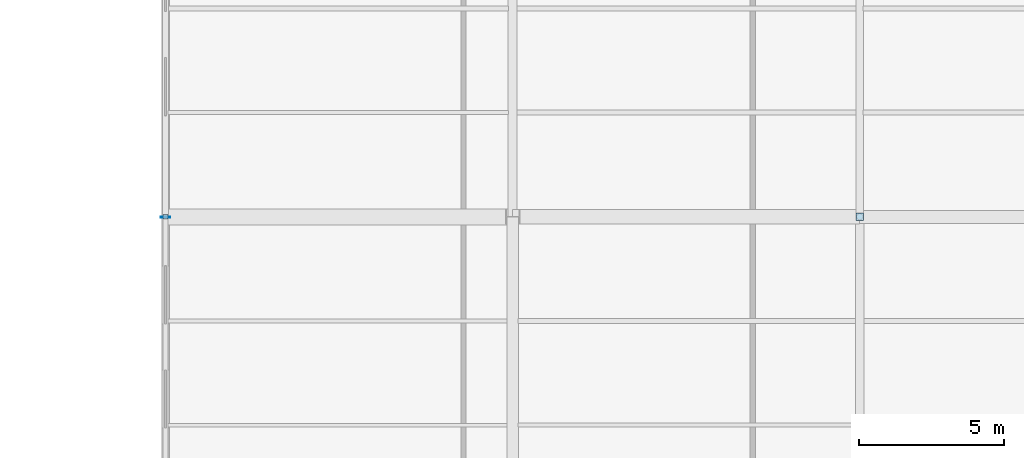
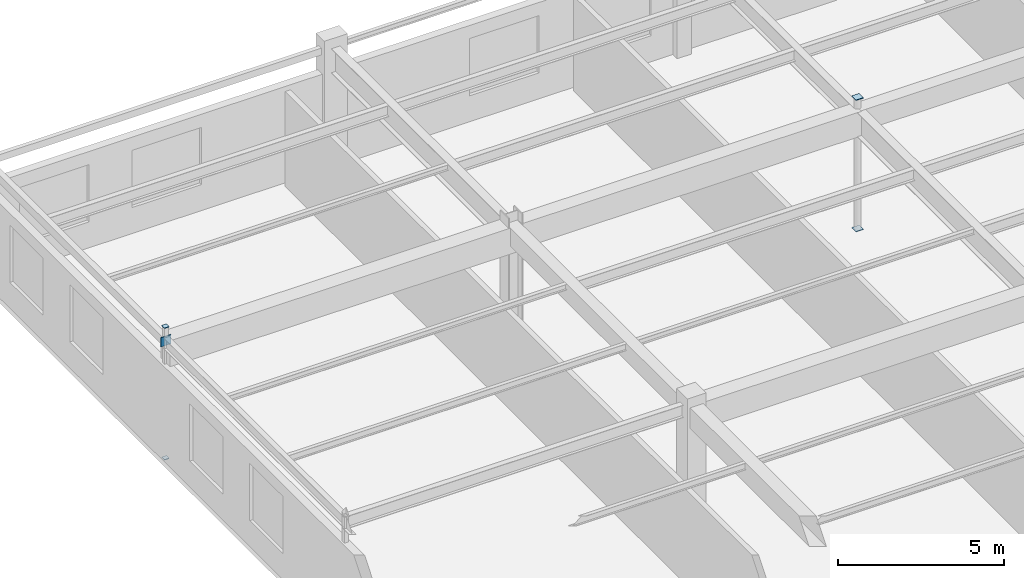
# One storey, part 141 of 199: 5 plates.
"""IFC4 building model written with IfcOpenShell, lengths in metres."""

from ifc_helpers import new_model, si_unit, direction, frame, origin, origin_2d, place, context, subcontext, project, spatial, rectangle, extrude, material, layer, layer_set, type_object, element, save


model = new_model("IFC4")

# Units and contexts
model_context = context("Model", 3, precision=1e-05, world=origin(), true_north=direction((0.0, 1.0)))
body_context = subcontext(model_context, "Body", "Model", "MODEL_VIEW")
ifc_project = project(units=[si_unit("LENGTHUNIT", "METRE"), si_unit("AREAUNIT", "SQUARE_METRE"), si_unit("VOLUMEUNIT", "CUBIC_METRE"), si_unit("PLANEANGLEUNIT", "RADIAN"), si_unit("MASSUNIT", "GRAM", prefix="KILO")], contexts=[model_context])

# Site, building, storey
site_placement = place(None, origin())
site = spatial("IfcSite", under=ifc_project, at=site_placement, CompositionType="ELEMENT")
building_placement = place(site_placement, origin())
building = spatial("IfcBuilding", under=site, at=building_placement, Name="Tarnwether General Hospital", CompositionType="ELEMENT")
storey_placement = place(building_placement, origin())
storey = spatial("IfcBuildingStorey", under=building, at=storey_placement, Name="L00", CompositionType="ELEMENT", Elevation=0.0)

# Plates
ifc_material = material(Name="Steel Grade 350 (350 MPa)", Category="steel")
ifc_layer = layer(ifc_material, 0.02490234375)
ifc_layer_set = layer_set([ifc_layer], Name="Steel Grade 350 (350 MPa)")
plate_type = type_object("IfcPlateType", Name="PT-GUS2", PredefinedType="USERDEFINED", material=ifc_layer_set)
for number, where, z_axis, x_axis, name in (
    (1, (0.0, 115.199951171875, -0.02490234375), (0.0, 0.0, 1.0), (1.0, 0.0, 0.0), "Hollow Section Welded End Cap Plate 0029"),
    (2, (0.0, 115.199951171875, 4.800048828125), (0.0, 0.0, 1.0), (1.0, 0.0, 0.0), "Hollow Section Welded End Cap Plate 0030"),
):
    element("IfcPlate", number, at=place(storey_placement, frame(where, z_axis=z_axis, x_axis=x_axis)), inside=storey, type_object=plate_type, Name=name, ObjectType="GUSSET", PredefinedType="USERDEFINED", context=body_context, shape_type="SweptSolid", body=[
        extrude(rectangle(XDim=0.1650390625, YDim=0.1650390625, at=origin_2d()), origin(), (0.0, 0.0, 1.0), 0.02490234375),
    ])
for number, where, z_axis, x_axis, name in (
    (3, (24.0, 115.199951171875, -0.02490234375), (0.0, 0.0, 1.0), (1.0, 0.0, 0.0), "Hollow Section Welded End Cap Plate 0067"),
    (4, (24.0, 115.199951171875, 4.800048828125), (0.0, 0.0, 1.0), (1.0, 0.0, 0.0), "Hollow Section Welded End Cap Plate 0068"),
):
    element("IfcPlate", number, at=place(storey_placement, frame(where, z_axis=z_axis, x_axis=x_axis)), inside=storey, type_object=plate_type, Name=name, ObjectType="GUSSET", PredefinedType="USERDEFINED", context=body_context, shape_type="SweptSolid", body=[
        extrude(rectangle(XDim=0.259033203125, YDim=0.259033203125, at=origin_2d()), origin(), (0.0, 0.0, 1.0), 0.02490234375),
    ])
plate_placement = place(storey_placement, frame((0.0, 115.1875, 4.125), z_axis=(0.0, 0.0, 1.0), x_axis=(0.0, 1.0, 0.0)))
element("IfcPlate", 5, at=plate_placement, inside=storey, type_object=plate_type, Name="Hollow Section Welded End Cap Plate 0865", ObjectType="GUSSET", PredefinedType="USERDEFINED", context=body_context, shape_type="SweptSolid", body=[
    extrude(rectangle(XDim=0.02490234375, YDim=0.340087890625, at=origin_2d()), origin(), (0.0, 0.0, 1.0), 0.340087890625),
])

save(model, "model.ifc")
